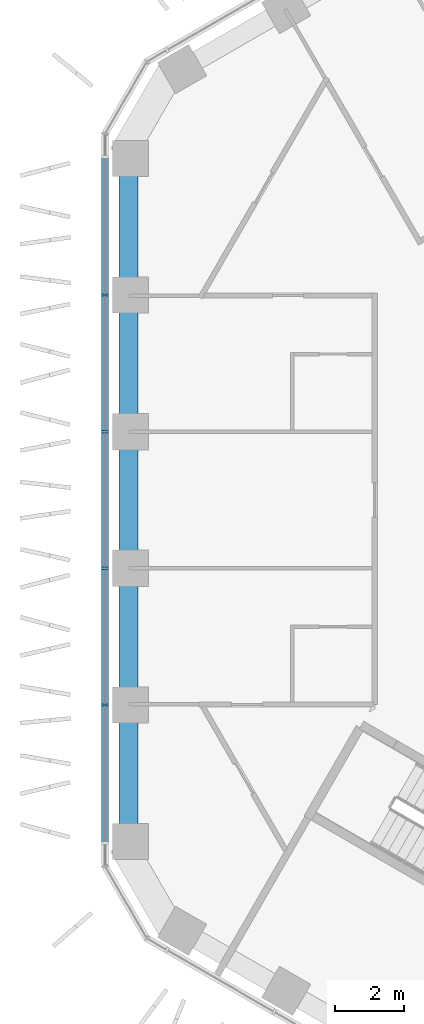
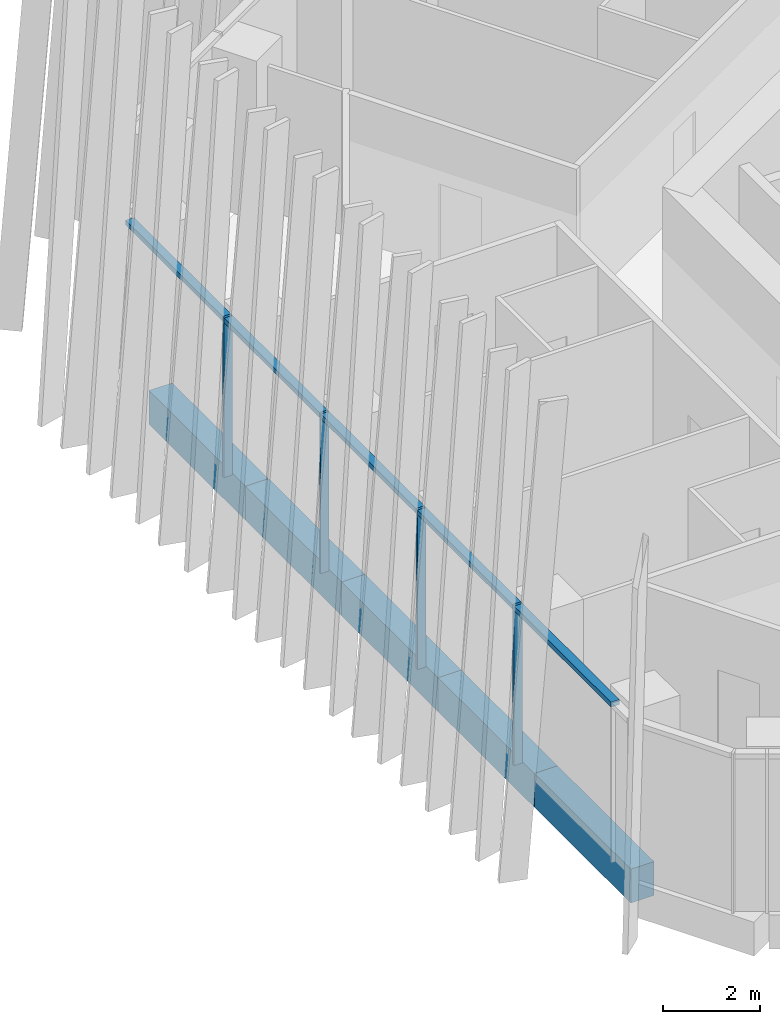
# One storey, part 4 of 28: 5 beams, 5 members, 1 element without a shape of its own.
"""IFC4 building model written with IfcOpenShell, lengths in metres."""

import ifcopenshell
import ifcopenshell.guid

model = None  # the IFC model being written
_history = None  # IfcOwnerHistory: only IFC2X3 demands one
_inside = {}  # id of a spatial element -> (the spatial element, [elements in it])
_under = {}  # id of a project, library or spatial element -> (it, [spatial elements below it])
_declared = {}  # id of a project -> (the project, [libraries it declares])
_typed = {}  # id of a type object -> (the type object, [elements of that type])
_made_of = {}  # id of a material, layer set ... -> (it, [elements and type objects made of it])


def new_model(schema):
    """Start an empty IFC model of exactly this schema.

    Asked for "IFC4X3", IfcOpenShell would pick the latest addendum, in which some entities
    have other attributes; the version numbers below select the first issue.
    IFC2X3 requires an IfcOwnerHistory on every rooted entity: one is made here for all.
    """
    global model, _history
    if schema == "IFC4X3":
        model = ifcopenshell.file(schema_version=(4, 3, 0, 0))
    else:
        model = ifcopenshell.file(schema=schema)
    _inside.clear()
    _under.clear()
    _declared.clear()
    _typed.clear()
    _made_of.clear()
    _history = None
    if model.schema == "IFC2X3":
        org = make("IfcOrganization", Name="unknown")
        user = make(
            "IfcPersonAndOrganization",
            ThePerson=make("IfcPerson", FamilyName="unknown"),
            TheOrganization=org,
        )
        app = make(
            "IfcApplication",
            ApplicationDeveloper=org,
            Version="unknown",
            ApplicationFullName="unknown",
            ApplicationIdentifier="unknown",
        )
        _history = make(
            "IfcOwnerHistory",
            OwningUser=user,
            OwningApplication=app,
            ChangeAction="ADDED",
            CreationDate=0,
        )
    return model


def make(cls, **values):
    """One entity of the class cls with the attributes given. An attribute that is None is left unset."""
    return model.create_entity(
        cls, **{name: value for name, value in values.items() if value is not None}
    )


def rooted(cls, **values):
    """An entity with a GlobalId (a new one), such as an element, a storey or a relation."""
    return make(cls, GlobalId=ifcopenshell.guid.new(), OwnerHistory=_history, **values)


def si_unit(unit_type, name, prefix=None):
    """IfcSIUnit, for example si_unit("LENGTHUNIT", "METRE", prefix="MILLI")."""
    return make("IfcSIUnit", UnitType=unit_type, Prefix=prefix, Name=name)


def assignment(units):
    """IfcUnitAssignment: the units of a project."""
    return None if units is None else make("IfcUnitAssignment", Units=units)


def point(xyz):
    """IfcCartesianPoint."""
    return None if xyz is None else make("IfcCartesianPoint", Coordinates=xyz)


def direction(xyz):
    """IfcDirection."""
    return None if xyz is None else make("IfcDirection", DirectionRatios=xyz)


def frame(location, z_axis=None, x_axis=None):
    """IfcAxis2Placement3D, a coordinate frame: its origin and axes. An axis left out is left unset."""
    return make(
        "IfcAxis2Placement3D",
        Location=point(location),
        Axis=direction(z_axis),
        RefDirection=direction(x_axis),
    )


def frame_2d(location, x_axis=None):
    """IfcAxis2Placement2D, a coordinate frame in the plane: its origin and x axis."""
    return make(
        "IfcAxis2Placement2D", Location=point(location), RefDirection=direction(x_axis)
    )


def origin():
    """The frame at (0, 0, 0) with its axes left unset."""
    return frame((0.0, 0.0, 0.0))


def origin_2d():
    """The frame at (0, 0) in the plane with its x axis left unset."""
    return frame_2d((0.0, 0.0))


def place(relative_to, where):
    """IfcLocalPlacement: puts the frame where relative to a parent placement (None: the world)."""
    return make(
        "IfcLocalPlacement", PlacementRelTo=relative_to, RelativePlacement=where
    )


def context(
    kind, dimensions, precision=None, world=None, true_north=None, identifier=None
):
    """IfcGeometricRepresentationContext, for example the 3D "Model" context."""
    return make(
        "IfcGeometricRepresentationContext",
        ContextIdentifier=identifier,
        ContextType=kind,
        CoordinateSpaceDimension=dimensions,
        Precision=precision,
        WorldCoordinateSystem=world,
        TrueNorth=true_north,
    )


def subcontext(parent, identifier, kind, view, scale=None):
    """IfcGeometricRepresentationSubContext, for example "Body" below "Model"."""
    return make(
        "IfcGeometricRepresentationSubContext",
        ContextIdentifier=identifier,
        ContextType=kind,
        ParentContext=parent,
        TargetScale=scale,
        TargetView=view,
    )


def project(units=None, contexts=None):
    """IfcProject with its units and contexts."""
    return rooted(
        "IfcProject",
        Name="project",
        RepresentationContexts=contexts,
        UnitsInContext=assignment(units),
    )


def spatial(cls, under=None, at=None, **own):
    """A site, building, storey or space (cls), placed at a placement, below another one or the project."""
    s = rooted(cls, ObjectPlacement=at, **own)
    if under is not None:
        _under.setdefault(under.id(), (under, []))[1].append(s)
    return s


def profile(cls, at=None, kind="AREA", **sizes):
    """A parametric profile (cls). Its sizes go by their IFC names, for example OverallWidth=200.0."""
    return make(cls, ProfileType=kind, Position=at, **sizes)


def rectangle(**sizes):
    """IfcRectangleProfileDef."""
    return profile("IfcRectangleProfileDef", **sizes)


def extrude(swept, where, along, depth):
    """IfcExtrudedAreaSolid: the profile swept, set in the frame where, extruded along a direction by depth."""
    return make(
        "IfcExtrudedAreaSolid",
        SweptArea=swept,
        Position=where,
        ExtrudedDirection=direction(along),
        Depth=depth,
    )


def shape(context_of_items, identifier, shape_type, items):
    """IfcShapeRepresentation: the items that make up one representation, for example the "Body"."""
    return make(
        "IfcShapeRepresentation",
        ContextOfItems=context_of_items,
        RepresentationIdentifier=identifier,
        RepresentationType=shape_type,
        Items=items,
    )


def material(Name=None, Category=None):
    """IfcMaterial."""
    return make("IfcMaterial", Name=Name, Category=Category)


def layer(
    of_material, thickness, ventilated=None, Name=None, Category=None, Priority=None
):
    """IfcMaterialLayer: one layer of a wall or slab, of a material (None: an air gap)."""
    return make(
        "IfcMaterialLayer",
        Material=of_material,
        LayerThickness=thickness,
        IsVentilated=ventilated,
        Name=Name,
        Category=Category,
        Priority=Priority,
    )


def layer_set(layers, Name=None):
    """IfcMaterialLayerSet."""
    return make("IfcMaterialLayerSet", MaterialLayers=layers, LayerSetName=Name)


def material_profile(
    of_material, cross_section, Name=None, Category=None, Priority=None
):
    """IfcMaterialProfile: a cross section and its material."""
    return make(
        "IfcMaterialProfile",
        Name=Name,
        Material=of_material,
        Profile=cross_section,
        Priority=Priority,
        Category=Category,
    )


def profile_set(profiles, Name=None, composite=None):
    """IfcMaterialProfileSet."""
    return make(
        "IfcMaterialProfileSet",
        Name=Name,
        MaterialProfiles=profiles,
        CompositeProfile=composite,
    )


def made_of(thing, what):
    """Note that an element or type object is made of a material, layer set ...; save() writes the relation."""
    if what is not None:
        _made_of.setdefault(what.id(), (what, []))[1].append(thing)
    return thing


def type_object(cls, material=None, **own):
    """A type object (cls), such as IfcWallType, which elements share."""
    return made_of(rooted(cls, **own), material)


def element(
    cls,
    number,
    at=None,
    inside=None,
    cuts=None,
    type_object=None,
    material=None,
    context=None,
    identifier="Body",
    shape_type=None,
    held_by="IfcProductDefinitionShape",
    body=None,
    shapes=None,
    **own,
):
    """One element of the class cls, such as IfcWall. Its Tag is "e" and its number.

    at: its placement. inside: the storey or other place that contains it. cuts: it is an
    opening in that element (IfcRelVoidsElement). A single representation is given by context,
    identifier, shape_type and body (its items); several are given by shapes. held_by: the class
    of the entity that holds the representations. save() writes the other relations.
    """
    e = rooted(cls, Tag="e%d" % number, ObjectPlacement=at, **own)
    if body is not None:
        shapes = [shape(context, identifier, shape_type, body)]
    if shapes is not None:
        e.Representation = make(held_by, Representations=shapes)
    if inside is not None:
        _inside.setdefault(inside.id(), (inside, []))[1].append(e)
    if cuts is not None:
        rooted(
            "IfcRelVoidsElement", RelatingBuildingElement=cuts, RelatedOpeningElement=e
        )
    if type_object is not None:
        _typed.setdefault(type_object.id(), (type_object, []))[1].append(e)
    return made_of(e, material)


def aggregate(whole, parts):
    """IfcRelAggregates: a whole, such as a stair, and the parts it consists of."""
    return rooted("IfcRelAggregates", RelatingObject=whole, RelatedObjects=parts)


def save(model, path):
    """Write the relations noted so far, then the file.

    IfcRelAggregates (storeys below a building ...), IfcRelContainedInSpatialStructure (elements
    in a storey), IfcRelDefinesByType, IfcRelAssociatesMaterial and IfcRelDeclares: one each for
    every whole, place, type object, material and project.
    """
    for whole, parts in _under.values():
        aggregate(whole, parts)
    for where, things in _inside.values():
        rooted(
            "IfcRelContainedInSpatialStructure",
            RelatedElements=things,
            RelatingStructure=where,
        )
    for kind, things in _typed.values():
        rooted("IfcRelDefinesByType", RelatedObjects=things, RelatingType=kind)
    for what, things in _made_of.values():
        rooted("IfcRelAssociatesMaterial", RelatedObjects=things, RelatingMaterial=what)
    for by, libraries in _declared.values():
        rooted("IfcRelDeclares", RelatingContext=by, RelatedDefinitions=libraries)
    model.write(path)


model = new_model("IFC4")

# Units and contexts
model_context = context("Model", 3, precision=1e-05, world=origin(), true_north=direction((0.0, 1.0)))
body_context = subcontext(model_context, "Body", "Model", "MODEL_VIEW")
ifc_project = project(units=[si_unit("LENGTHUNIT", "METRE"), si_unit("AREAUNIT", "SQUARE_METRE"), si_unit("VOLUMEUNIT", "CUBIC_METRE"), si_unit("PLANEANGLEUNIT", "RADIAN"), si_unit("MASSUNIT", "GRAM", prefix="KILO")], contexts=[model_context])

# Site, building, storey
site_placement = place(None, origin())
site = spatial("IfcSite", under=ifc_project, at=site_placement, CompositionType="ELEMENT")
building_placement = place(site_placement, origin())
building = spatial("IfcBuilding", under=site, at=building_placement, Name="Ayvan Gate Tower", CompositionType="ELEMENT")
storey_placement = place(building_placement, frame((0.0, 0.0, 120.5)))
storey = spatial("IfcBuildingStorey", under=building, at=storey_placement, Name="L32", CompositionType="ELEMENT", Elevation=120.5)

# Beams
ifc_material_1 = material(Name="Concrete C40/50", Category="concrete")
ifc_material_profile_1 = material_profile(ifc_material_1, rectangle(XDim=0.550048828125, YDim=0.85009765625, at=origin_2d()), Name="RC 550x850")
ifc_profile_set_1 = profile_set([ifc_material_profile_1], Name="Concrete C40/50")
beam_type = type_object("IfcBeamType", Name="Spandrel beam RC 550x850 C40/50", PredefinedType="BEAM", material=ifc_profile_set_1)
for number, where, z_axis, x_axis, name in (
    (1, (-18.84716796875, 9.886474609375, -0.824951171875), (0.0, -1.0, 0.0), (1.0, 0.0, 0.0), "SB-L32-19"),
    (2, (-18.84716796875, 5.931884765625, -0.824951171875), (0.0, -1.0, 0.0), (1.0, 0.0, 0.0), "SB-L32-20"),
    (3, (-18.84716796875, 1.977294921875, -0.824951171875), (0.0, -1.0, 0.0), (1.0, 0.0, 0.0), "SB-L32-21"),
    (4, (-18.84716796875, -1.977294921875, -0.824951171875), (0.0, -1.0, 0.0), (1.0, 0.0, 0.0), "SB-L32-22"),
    (5, (-18.84716796875, -5.931884765625, -0.824951171875), (0.0, -1.0, 0.0), (1.0, 0.0, 0.0), "SB-L32-23"),
):
    element("IfcBeam", number, at=place(storey_placement, frame(where, z_axis=z_axis, x_axis=x_axis)), inside=storey, type_object=beam_type, Name=name, PredefinedType="BEAM", context=body_context, shape_type="SweptSolid", body=[
        extrude(rectangle(XDim=0.550048828125, YDim=0.85009765625, at=origin_2d()), origin(), (0.0, 0.0, 1.0), 3.95458984375),
    ])

# Curtain wall, members
ifc_material_2 = material(Name="Bronze anodised aluminium", Category="aluminium")
ifc_layer = layer(ifc_material_2, 0.199951171875)
ifc_layer_set = layer_set([ifc_layer], Name="Bronze anodised aluminium")
curtain_wall_type = type_object("IfcCurtainWallType", Name="Stick curtain wall CW-1", PredefinedType="NOTDEFINED", material=ifc_layer_set)
curtain_wall_placement = place(storey_placement, origin())
curtain_wall = element("IfcCurtainWall", 6, at=curtain_wall_placement, inside=storey, type_object=curtain_wall_type, Name="Stick curtain wall CW-1 L32", PredefinedType="NOTDEFINED")
ifc_material_profile_2 = material_profile(ifc_material_2, rectangle(XDim=0.199951171875, YDim=0.06005859375, at=origin_2d()), Name="Stick curtain wall CW-1 mullion 200 x 60")
ifc_profile_set_2 = profile_set([ifc_material_profile_2], Name="Bronze anodised aluminium")
member_type_1 = type_object("IfcMemberType", Name="Stick curtain wall CW-1 mullion 200 x 60", PredefinedType="MULLION", material=ifc_profile_set_2)
member_1_placement = place(storey_placement, frame((-19.53271484375, 5.948974609375, 0.0), z_axis=(0.0, 0.0, 1.0), x_axis=(-1.0, 0.0, 0.0)))
member_1 = element("IfcMember", 7, at=member_1_placement, type_object=member_type_1, Name="CW-1 mullion 2", PredefinedType="MULLION", context=body_context, shape_type="SweptSolid", body=[
    extrude(rectangle(XDim=0.199951171875, YDim=0.06005859375, at=origin_2d()), origin(), (0.0, 0.0, 1.0), 4.0),
])
member_2_placement = place(storey_placement, frame((-19.53271484375, 1.98291015625, 0.0), z_axis=(0.0, 0.0, 1.0), x_axis=(-1.0, 0.0, 0.0)))
member_2 = element("IfcMember", 8, at=member_2_placement, type_object=member_type_1, Name="CW-1 mullion 3", PredefinedType="MULLION", context=body_context, shape_type="SweptSolid", body=[
    extrude(rectangle(XDim=0.199951171875, YDim=0.06005859375, at=origin_2d()), origin(), (0.0, 0.0, 1.0), 4.0),
])
member_3_placement = place(storey_placement, frame((-19.53271484375, -1.98291015625, 0.0), z_axis=(0.0, 0.0, 1.0), x_axis=(-1.0, 0.0, 0.0)))
member_3 = element("IfcMember", 9, at=member_3_placement, type_object=member_type_1, Name="CW-1 mullion 4", PredefinedType="MULLION", context=body_context, shape_type="SweptSolid", body=[
    extrude(rectangle(XDim=0.199951171875, YDim=0.06005859375, at=origin_2d()), origin(), (0.0, 0.0, 1.0), 4.0),
])
member_4_placement = place(storey_placement, frame((-19.53271484375, -5.948974609375, 0.0), z_axis=(0.0, 0.0, 1.0), x_axis=(-1.0, 0.0, 0.0)))
member_4 = element("IfcMember", 10, at=member_4_placement, type_object=member_type_1, Name="CW-1 mullion 5", PredefinedType="MULLION", context=body_context, shape_type="SweptSolid", body=[
    extrude(rectangle(XDim=0.199951171875, YDim=0.06005859375, at=origin_2d()), origin(), (0.0, 0.0, 1.0), 4.0),
])
ifc_material_profile_3 = material_profile(ifc_material_2, rectangle(XDim=0.199951171875, YDim=0.1201171875, at=origin_2d()), Name="Stick curtain wall CW-1 transom 200 x 120")
ifc_profile_set_3 = profile_set([ifc_material_profile_3], Name="Bronze anodised aluminium")
member_type_2 = type_object("IfcMemberType", Name="Stick curtain wall CW-1 transom 200 x 120", PredefinedType="USERDEFINED", material=ifc_profile_set_3)
member_5_placement = place(storey_placement, frame((-19.53271484375, 9.95703125, 3.93994140625), z_axis=(0.0, -1.0, 0.0), x_axis=(1.0, 0.0, 0.0)))
member_5 = element("IfcMember", 11, at=member_5_placement, type_object=member_type_2, Name="CW-1 transom 1", ObjectType="TRANSOM", PredefinedType="USERDEFINED", context=body_context, shape_type="SweptSolid", body=[
    extrude(rectangle(XDim=0.199951171875, YDim=0.1201171875, at=origin_2d()), origin(), (0.0, 0.0, 1.0), 19.9140625),
])
aggregate(curtain_wall, [member_1, member_2, member_3, member_4, member_5])

save(model, "model.ifc")
